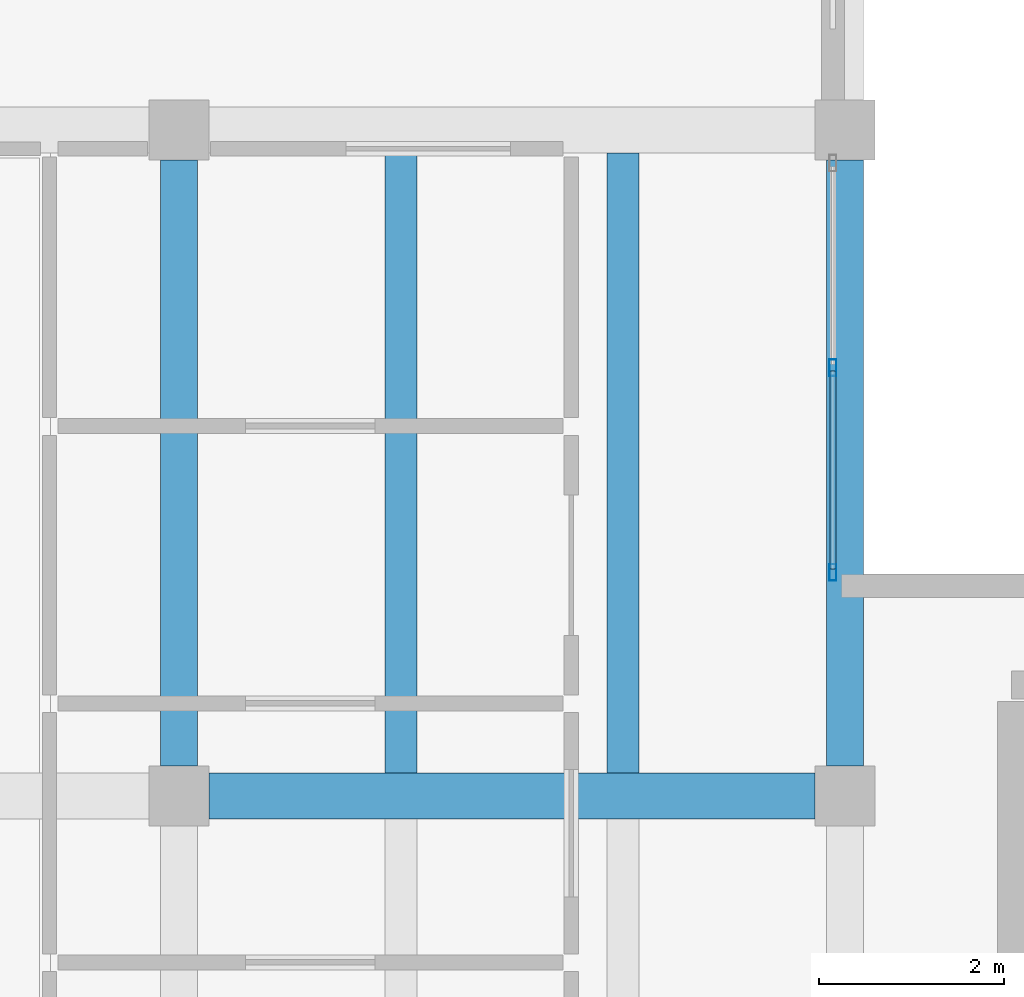
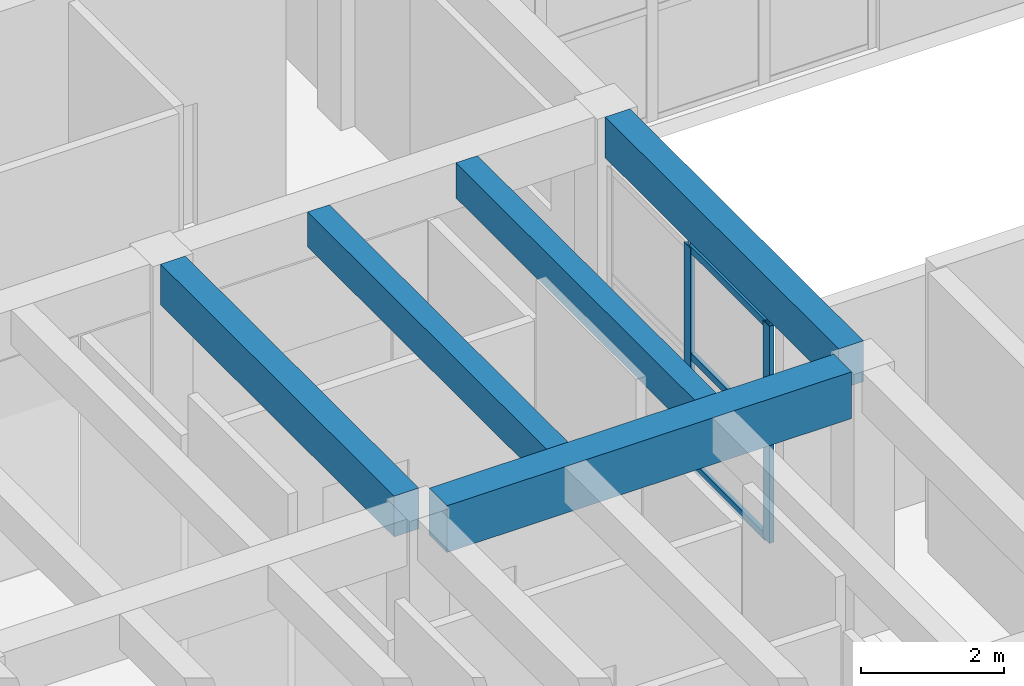
# One storey, part 64 of 155: 5 beams, 5 members, 1 element without a shape of its own.
"""IFC4 building model written with IfcOpenShell, lengths in metres."""

from ifc_helpers import new_model, si_unit, direction, frame, origin, origin_2d, place, context, subcontext, project, spatial, rectangle, hollow_rectangle, extrude, material, material_profile, profile_set, type_object, element, aggregate, save


model = new_model("IFC4")

# Units and contexts
model_context = context("Model", 3, precision=1e-05, world=origin(), true_north=direction((0.0, 1.0)))
body_context = subcontext(model_context, "Body", "Model", "MODEL_VIEW")
ifc_project = project(units=[si_unit("LENGTHUNIT", "METRE"), si_unit("AREAUNIT", "SQUARE_METRE"), si_unit("VOLUMEUNIT", "CUBIC_METRE"), si_unit("PLANEANGLEUNIT", "RADIAN"), si_unit("MASSUNIT", "GRAM", prefix="KILO")], contexts=[model_context])

# Site, building, storey
site_placement = place(None, origin())
site = spatial("IfcSite", under=ifc_project, at=site_placement, CompositionType="ELEMENT")
building_placement = place(site_placement, origin())
building = spatial("IfcBuilding", under=site, at=building_placement, Name="Bramvelor Terrace Health Centre", CompositionType="ELEMENT")
storey_placement = place(building_placement, origin())
storey = spatial("IfcBuildingStorey", under=building, at=storey_placement, Name="L01", CompositionType="ELEMENT", Elevation=0.0)

# Beams
ifc_material_1 = material(Name="Concrete C40/50", Category="concrete")
ifc_material_profile_1 = material_profile(ifc_material_1, rectangle(XDim=0.39990234375, YDim=0.699951171875, at=origin_2d()), Name="RC 400x700")
ifc_profile_set_1 = profile_set([ifc_material_profile_1], Name="Concrete C40/50")
beam_type_1 = type_object("IfcBeamType", Name="BM-RC-G700", PredefinedType="BEAM", material=ifc_profile_set_1)
for number, where, z_axis, x_axis, name in (
    (1, (7.199951171875, 93.925048828125, 4.2099609375), (0.0, 1.0, 0.0), (-1.0, 0.0, 0.0), "L01 Floor Girder"),
    (2, (14.39990234375, 93.925048828125, 4.2099609375), (0.0, 1.0, 0.0), (-1.0, 0.0, 0.0), "L01 Floor Girder"),
):
    element("IfcBeam", number, at=place(storey_placement, frame(where, z_axis=z_axis, x_axis=x_axis)), inside=storey, type_object=beam_type_1, Name=name, PredefinedType="BEAM", context=body_context, shape_type="SweptSolid", body=[
        extrude(rectangle(XDim=0.39990234375, YDim=0.699951171875, at=origin_2d()), origin(), (0.0, 0.0, 1.0), 6.550048828125),
    ])
ifc_material_2 = material(Name="Concrete C40/50", Category="concrete")
ifc_material_profile_2 = material_profile(ifc_material_2, rectangle(XDim=0.5, YDim=0.800048828125, at=origin_2d()), Name="RC 500x800")
ifc_profile_set_2 = profile_set([ifc_material_profile_2], Name="Concrete C40/50")
beam_type_2 = type_object("IfcBeamType", Name="BM-RC-G800", PredefinedType="BEAM", material=ifc_profile_set_2)
beam_placement = place(storey_placement, frame((7.52490234375, 93.60009765625, 4.159912109375), z_axis=(1.0, 0.0, 0.0), x_axis=(0.0, 1.0, 0.0)))
element("IfcBeam", 3, at=beam_placement, inside=storey, type_object=beam_type_2, Name="L01 Floor Girder", PredefinedType="BEAM", context=body_context, shape_type="SweptSolid", body=[
    extrude(rectangle(XDim=0.5, YDim=0.800048828125, at=origin_2d()), origin(), (0.0, 0.0, 1.0), 6.550048828125),
])
ifc_material_3 = material(Name="Concrete C40/50", Category="concrete")
ifc_material_profile_3 = material_profile(ifc_material_3, rectangle(XDim=0.35009765625, YDim=0.60009765625, at=origin_2d()), Name="RC 350x600")
ifc_profile_set_3 = profile_set([ifc_material_profile_3], Name="Concrete C40/50")
beam_type_3 = type_object("IfcBeamType", Name="BM-RC-J600", PredefinedType="JOIST", material=ifc_profile_set_3)
for number, where, z_axis, x_axis, name in (
    (4, (9.60009765625, 93.85009765625, 4.260009765625), (0.0, 1.0, 0.0), (-1.0, 0.0, 0.0), "L01 Secondary Floor Joist"),
    (5, (12.0, 93.85009765625, 4.260009765625), (0.0, 1.0, 0.0), (-1.0, 0.0, 0.0), "L01 Secondary Floor Joist"),
):
    element("IfcBeam", number, at=place(storey_placement, frame(where, z_axis=z_axis, x_axis=x_axis)), inside=storey, type_object=beam_type_3, Name=name, PredefinedType="JOIST", context=body_context, shape_type="SweptSolid", body=[
        extrude(rectangle(XDim=0.35009765625, YDim=0.60009765625, at=origin_2d()), origin(), (0.0, 0.0, 1.0), 6.699951171875),
    ])

# Curtain wall, members
ifc_material_4 = material(Name="Anodized aluminium and double low-E glass", Category="aluminium")
curtain_wall_type = type_object("IfcCurtainWallType", Name="CW-SYS-11", PredefinedType="NOTDEFINED", material=ifc_material_4)
curtain_wall_placement = place(storey_placement, origin())
curtain_wall = element("IfcCurtainWall", 6, at=curtain_wall_placement, inside=storey, type_object=curtain_wall_type, Name="L01 Unitized Curtain Wall 69", PredefinedType="NOTDEFINED")
ifc_material_5 = material(Name="Anodized aluminium 6063-T6", Category="aluminium")
ifc_material_profile_4 = material_profile(ifc_material_5, hollow_rectangle(XDim=0.074951171875, YDim=0.179931640625, WallThickness=0.00341796875, at=origin_2d()), Name="ALU-MUL 75x180x3.5")
ifc_profile_set_4 = profile_set([ifc_material_profile_4], Name="Anodized aluminium 6063-T6")
member_type_1 = type_object("IfcMemberType", Name="CW-MUL-65x180", PredefinedType="MULLION", material=ifc_profile_set_4)
member_1_placement = place(storey_placement, frame((14.27001953125, 98.22998046875, 0.0), z_axis=(0.0, 0.0, 1.0), x_axis=(1.0, 0.0, 0.0)))
member_1 = element("IfcMember", 7, at=member_1_placement, type_object=member_type_1, Name="CW-11 mullion 2", PredefinedType="MULLION", context=body_context, shape_type="SweptSolid", body=[
    extrude(hollow_rectangle(XDim=0.074951171875, YDim=0.179931640625, WallThickness=0.00341796875, at=origin_2d()), origin(), (0.0, 0.0, 1.0), 3.719970703125),
])
member_2_placement = place(storey_placement, frame((14.27001953125, 96.017578125, 0.0), z_axis=(0.0, 0.0, 1.0), x_axis=(1.0, 0.0, 0.0)))
member_2 = element("IfcMember", 8, at=member_2_placement, type_object=member_type_1, Name="CW-11 mullion 3", PredefinedType="MULLION", context=body_context, shape_type="SweptSolid", body=[
    extrude(hollow_rectangle(XDim=0.074951171875, YDim=0.179931640625, WallThickness=0.00341796875, at=origin_2d()), origin(), (0.0, 0.0, 1.0), 3.719970703125),
])
ifc_material_6 = material(Name="Anodized aluminium 6063-T6", Category="aluminium")
ifc_material_profile_5 = material_profile(ifc_material_6, hollow_rectangle(XDim=0.06494140625, YDim=0.1201171875, WallThickness=0.0029296875, at=origin_2d()), Name="ALU-TRN 65x120x3.0")
ifc_profile_set_5 = profile_set([ifc_material_profile_5], Name="Anodized aluminium 6063-T6")
member_type_2 = type_object("IfcMemberType", Name="CW-TRN-65x150", PredefinedType="USERDEFINED", material=ifc_profile_set_5)
member_3_placement = place(storey_placement, frame((14.27001953125, 98.1923828125, 0.032470703125), z_axis=(0.0, -1.0, 0.0), x_axis=(1.0, 0.0, 0.0)))
member_3 = element("IfcMember", 9, at=member_3_placement, type_object=member_type_2, Name="CW-11 transom 2.1", ObjectType="TRANSOM", PredefinedType="USERDEFINED", context=body_context, shape_type="SweptSolid", body=[
    extrude(hollow_rectangle(XDim=0.06494140625, YDim=0.1201171875, WallThickness=0.0029296875, at=origin_2d()), origin(), (0.0, 0.0, 1.0), 2.137451171875),
])
member_4_placement = place(storey_placement, frame((14.27001953125, 98.1923828125, 1.860107421875), z_axis=(0.0, -1.0, 0.0), x_axis=(1.0, 0.0, 0.0)))
member_4 = element("IfcMember", 10, at=member_4_placement, type_object=member_type_2, Name="CW-11 transom 2.2", ObjectType="TRANSOM", PredefinedType="USERDEFINED", context=body_context, shape_type="SweptSolid", body=[
    extrude(hollow_rectangle(XDim=0.06494140625, YDim=0.1201171875, WallThickness=0.0029296875, at=origin_2d()), origin(), (0.0, 0.0, 1.0), 2.137451171875),
])
member_5_placement = place(storey_placement, frame((14.27001953125, 98.1923828125, 3.6875), z_axis=(0.0, -1.0, 0.0), x_axis=(1.0, 0.0, 0.0)))
member_5 = element("IfcMember", 11, at=member_5_placement, type_object=member_type_2, Name="CW-11 transom 2.3", ObjectType="TRANSOM", PredefinedType="USERDEFINED", context=body_context, shape_type="SweptSolid", body=[
    extrude(hollow_rectangle(XDim=0.06494140625, YDim=0.1201171875, WallThickness=0.0029296875, at=origin_2d()), origin(), (0.0, 0.0, 1.0), 2.137451171875),
])
aggregate(curtain_wall, [member_1, member_2, member_3, member_4, member_5])

save(model, "model.ifc")
